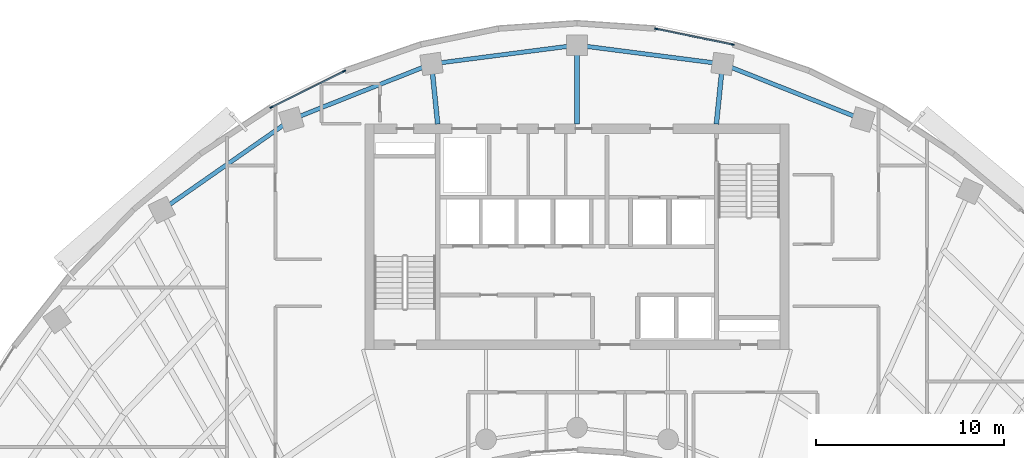
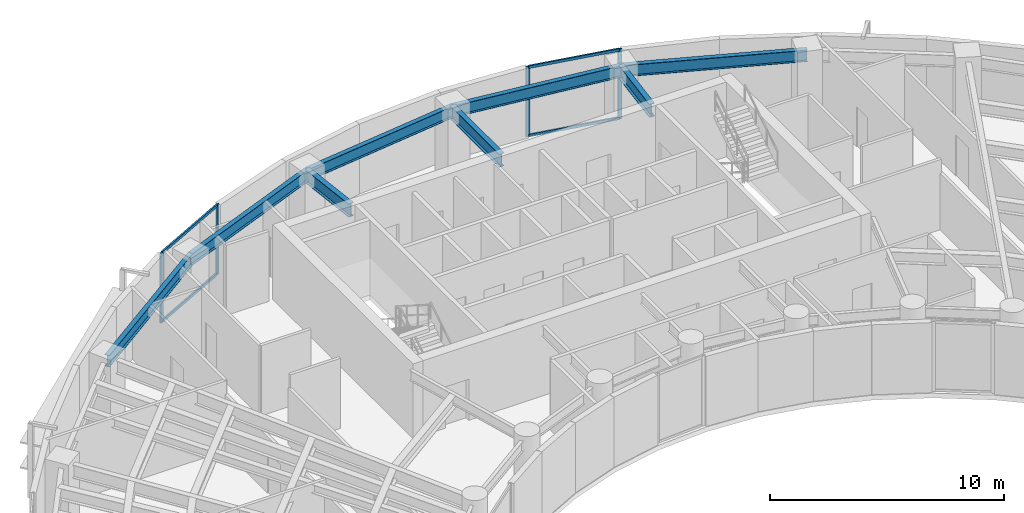
# One storey, part 5 of 13: 8 beams, 8 members, 2 elements without a shape of their own.
"""IFC4 building model written with IfcOpenShell, lengths in metres."""

from ifc_helpers import new_model, si_unit, direction, frame, origin, origin_2d, place, context, subcontext, project, spatial, rectangle, i_section, extrude, source, transform, mapped, material, layer, layer_set, material_profile, profile_set, type_object, element, aggregate, save


model = new_model("IFC4")

# Units and contexts
model_context = context("Model", 3, precision=1e-05, world=origin(), true_north=direction((0.0, 1.0)))
body_context = subcontext(model_context, "Body", "Model", "MODEL_VIEW")
ifc_project = project(units=[si_unit("LENGTHUNIT", "METRE"), si_unit("AREAUNIT", "SQUARE_METRE"), si_unit("VOLUMEUNIT", "CUBIC_METRE"), si_unit("PLANEANGLEUNIT", "RADIAN"), si_unit("MASSUNIT", "GRAM", prefix="KILO")], contexts=[model_context])

# Site, building, storey
site_placement = place(None, origin())
site = spatial("IfcSite", under=ifc_project, at=site_placement, CompositionType="ELEMENT")
building_placement = place(site_placement, origin())
building = spatial("IfcBuilding", under=site, at=building_placement, Name="Breltana Convention Tower", CompositionType="ELEMENT")
storey_placement = place(building_placement, frame((0.0, 0.0, 146.699951171875)))
storey = spatial("IfcBuildingStorey", under=building, at=storey_placement, Name="L35", CompositionType="ELEMENT", Elevation=146.699951171875)

# Beams
ifc_material_1 = material(Name="Steel ASTM A992 Grade 50", Category="steel")
ifc_material_profile_1 = material_profile(ifc_material_1, i_section(OverallWidth=0.25390625, OverallDepth=0.68798828125, WebThickness=0.01318359375, FlangeThickness=0.02099609375, at=origin_2d()), Name="W27X102")
ifc_profile_set_1 = profile_set([ifc_material_profile_1], Name="Steel ASTM A992 Grade 50")
beam_type_1 = type_object("IfcBeamType", Name="BM-RG-W27X102", PredefinedType="USERDEFINED", material=ifc_profile_set_1)
shared_shape_1 = source(origin(), body_context, "Body", "SweptSolid", [
    extrude(i_section(OverallWidth=0.25390625, OverallDepth=0.68798828125, WebThickness=0.01318359375, FlangeThickness=0.02099609375, at=origin_2d()), origin(), (0.0, 0.0, 1.0), 3.220947265625),
])
for number, where, z_axis, x_axis, name in (
    (1, (40.580078125, 72.199951171875, 3.30615234375), (-0.101492254858, 0.994836329355, 0.0), (-0.994836329355, -0.101492254858, 0.0), "L35 North Core Radial Girder R05"),
    (2, (55.419921875, 72.199951171875, 3.30615234375), (0.101492254858, 0.994836329355, 0.0), (-0.994836329355, 0.101492254858, 0.0), "L35 North Core Radial Girder R07"),
):
    element("IfcBeam", number, at=place(storey_placement, frame(where, z_axis=z_axis, x_axis=x_axis)), inside=storey, type_object=beam_type_1, Name=name, ObjectType="GIRDER", PredefinedType="USERDEFINED", context=body_context, shape_type="MappedRepresentation", body=[
        mapped(shared_shape_1, transform((0.0, 0.0, 0.0), scale=1.0)),
    ])
shared_shape_2 = source(origin(), body_context, "Body", "SweptSolid", [
    extrude(i_section(OverallWidth=0.25390625, OverallDepth=0.68798828125, WebThickness=0.01318359375, FlangeThickness=0.02099609375, at=origin_2d()), origin(), (0.0, 0.0, 1.0), 4.2041015625),
])
beam_1_placement = place(storey_placement, frame((48.0, 72.199951171875, 3.30615234375), z_axis=(0.0, 1.0, 0.0), x_axis=(-1.0, 0.0, 0.0)))
element("IfcBeam", 3, at=beam_1_placement, inside=storey, type_object=beam_type_1, Name="L35 North Core Radial Girder R06", ObjectType="GIRDER", PredefinedType="USERDEFINED", context=body_context, shape_type="MappedRepresentation", body=[
    mapped(shared_shape_2, transform((0.0, 0.0, 0.0), scale=1.0)),
])
ifc_material_profile_2 = material_profile(ifc_material_1, i_section(OverallWidth=0.22802734375, OverallDepth=0.60791015625, WebThickness=0.01123046875, FlangeThickness=0.017333984375, at=origin_2d()), Name="W24X76")
ifc_profile_set_2 = profile_set([ifc_material_profile_2], Name="Steel ASTM A992 Grade 50")
beam_type_2 = type_object("IfcBeamType", Name="BM-SP-W24X76", PredefinedType="SPANDREL", material=ifc_profile_set_2)
shared_shape_3 = source(origin(), body_context, "Body", "SweptSolid", [
    extrude(i_section(OverallWidth=0.22802734375, OverallDepth=0.60791015625, WebThickness=0.01123046875, FlangeThickness=0.017333984375, at=origin_2d()), origin(), (0.0, 0.0, 1.0), 8.4169921875),
])
beam_2_placement = place(storey_placement, frame((25.8876953125, 67.626953125, 3.345947265625), z_axis=(0.820173800102, 0.572114444519, 0.0), x_axis=(-0.572114444519, 0.820173800102, 0.0)))
element("IfcBeam", 4, at=beam_2_placement, inside=storey, type_object=beam_type_2, Name="L35 Outer Spandrel Beam 03", PredefinedType="SPANDREL", context=body_context, shape_type="MappedRepresentation", body=[
    mapped(shared_shape_3, transform((0.0, 0.0, 0.0), scale=1.0)),
])
shared_shape_4 = source(origin(), body_context, "Body", "SweptSolid", [
    extrude(i_section(OverallWidth=0.22802734375, OverallDepth=0.60791015625, WebThickness=0.01123046875, FlangeThickness=0.017333984375, at=origin_2d()), origin(), (0.0, 0.0, 1.0), 8.028564453125),
])
for number, where, z_axis, x_axis, name in (
    (5, (32.791015625, 72.4423828125, 3.345947265625), (0.929459100394, 0.368925169507, 0.0), (-0.368925169507, 0.929459100394, 0.0), "L35 Outer Spandrel Beam 04"),
    (6, (55.746826171875, 75.404296875, 3.345947265625), (0.929459100394, -0.368925169507, 0.0), (0.368925169507, 0.929459100394, 0.0), "L35 Outer Spandrel Beam 07"),
):
    element("IfcBeam", number, at=place(storey_placement, frame(where, z_axis=z_axis, x_axis=x_axis)), inside=storey, type_object=beam_type_2, Name=name, PredefinedType="SPANDREL", context=body_context, shape_type="MappedRepresentation", body=[
        mapped(shared_shape_4, transform((0.0, 0.0, 0.0), scale=1.0)),
    ])
shared_shape_5 = source(origin(), body_context, "Body", "SweptSolid", [
    extrude(i_section(OverallWidth=0.22802734375, OverallDepth=0.60791015625, WebThickness=0.01123046875, FlangeThickness=0.017333984375, at=origin_2d()), origin(), (0.0, 0.0, 1.0), 7.81103515625),
])
for number, where, z_axis, x_axis, name in (
    (7, (40.253173828125, 75.404296875, 3.345947265625), (0.991775179127, 0.127992164083, 0.0), (-0.127992164083, 0.991775179127, 0.0), "L35 Outer Spandrel Beam 05"),
    (8, (48.0, 76.404052734375, 3.345947265625), (0.991775179127, -0.127992164083, 0.0), (0.127992164083, 0.991775179127, 0.0), "L35 Outer Spandrel Beam 06"),
):
    element("IfcBeam", number, at=place(storey_placement, frame(where, z_axis=z_axis, x_axis=x_axis)), inside=storey, type_object=beam_type_2, Name=name, PredefinedType="SPANDREL", context=body_context, shape_type="MappedRepresentation", body=[
        mapped(shared_shape_5, transform((0.0, 0.0, 0.0), scale=1.0)),
    ])

# Curtain wall, members
ifc_material_2 = material(Name="Aluminium Anodised Bronze Frame", Category="aluminium")
ifc_layer = layer(ifc_material_2, 0.2099609375, Name="Aluminium Anodised Bronze Frame")
ifc_layer_set = layer_set([ifc_layer], Name="Aluminium Anodised Bronze Frame")
curtain_wall_type = type_object("IfcCurtainWallType", Name="CW-SYS-3", PredefinedType="NOTDEFINED", material=ifc_layer_set)
curtain_wall_1_placement = place(storey_placement, origin())
curtain_wall_1 = element("IfcCurtainWall", 9, at=curtain_wall_1_placement, inside=storey, type_object=curtain_wall_type, Name="L35 outer double-skin inner glazing 2", PredefinedType="NOTDEFINED")
ifc_material_3 = material(Name="Aluminium Anodised Bronze", Category="aluminium")
ifc_material_profile_3 = material_profile(ifc_material_3, rectangle(XDim=0.070068359375, YDim=0.175048828125, at=origin_2d()), Name="CWM-70X175")
ifc_profile_set_3 = profile_set([ifc_material_profile_3], Name="Aluminium Anodised Bronze")
member_type_1 = type_object("IfcMemberType", Name="CWM-175", PredefinedType="MULLION", material=ifc_profile_set_3)
shared_shape_6 = source(origin(), body_context, "Body", "SweptSolid", [
    extrude(rectangle(XDim=0.070068359375, YDim=0.175048828125, at=origin_2d()), origin(), (0.0, 0.0, 1.0), 3.650146484375),
])
member_1_placement = place(storey_placement, frame((31.733154296875, 73.095458984375, 0.0), z_axis=(0.0, 0.0, 1.0), x_axis=(-0.444117835682, 0.895968385619, 0.0)))
member_1 = element("IfcMember", 10, at=member_1_placement, type_object=member_type_1, Name="CW-03 mullion 1", PredefinedType="MULLION", context=body_context, shape_type="MappedRepresentation", body=[
    mapped(shared_shape_6, transform((0.0, 0.0, 0.0), scale=1.0)),
])
member_2_placement = place(storey_placement, frame((35.59814453125, 75.011474609375, 0.0), z_axis=(0.0, 0.0, 1.0), x_axis=(-0.444117835682, 0.895968385619, 0.0)))
member_2 = element("IfcMember", 11, at=member_2_placement, type_object=member_type_1, Name="CW-03 mullion 2", PredefinedType="MULLION", context=body_context, shape_type="MappedRepresentation", body=[
    mapped(shared_shape_6, transform((0.0, 0.0, 0.0), scale=1.0)),
])

curtain_wall_2_placement = place(storey_placement, origin())
curtain_wall_2 = element("IfcCurtainWall", 12, at=curtain_wall_2_placement, inside=storey, type_object=curtain_wall_type, Name="L35 outer double-skin inner glazing 3", PredefinedType="NOTDEFINED")
member_3_placement = place(storey_placement, frame((52.2138671875, 77.272705078125, 0.0), z_axis=(0.0, 0.0, 1.0), x_axis=(0.200876562668, 0.979616560993, 0.0)))
member_3 = element("IfcMember", 13, at=member_3_placement, type_object=member_type_1, Name="CW-03 mullion 1", PredefinedType="MULLION", context=body_context, shape_type="MappedRepresentation", body=[
    mapped(shared_shape_6, transform((0.0, 0.0, 0.0), scale=1.0)),
])
member_4_placement = place(storey_placement, frame((56.28271484375, 76.4384765625, 0.0), z_axis=(0.0, 0.0, 1.0), x_axis=(0.200876562668, 0.979616560993, 0.0)))
member_4 = element("IfcMember", 14, at=member_4_placement, type_object=member_type_1, Name="CW-03 mullion 2", PredefinedType="MULLION", context=body_context, shape_type="MappedRepresentation", body=[
    mapped(shared_shape_6, transform((0.0, 0.0, 0.0), scale=1.0)),
])

# Member
ifc_material_profile_4 = material_profile(ifc_material_3, rectangle(XDim=0.080078125, YDim=0.139892578125, at=origin_2d()), Name="CWT-80X140")
ifc_profile_set_4 = profile_set([ifc_material_profile_4], Name="Aluminium Anodised Bronze")
member_type_2 = type_object("IfcMemberType", Name="CWT-140", PredefinedType="USERDEFINED", material=ifc_profile_set_4)
shared_shape_7 = source(origin(), body_context, "Body", "SweptSolid", [
    extrude(rectangle(XDim=0.080078125, YDim=0.139892578125, at=origin_2d()), origin(), (0.0, 0.0, 1.0), 4.243896484375),
])
member_5_placement = place(storey_placement, frame((31.764404296875, 73.111083984375, 0.0400390625), z_axis=(0.895975011629, 0.444104468043, 0.0), x_axis=(-0.444104468043, 0.895975011629, 0.0)))
member_5 = element("IfcMember", 15, at=member_5_placement, type_object=member_type_2, Name="CW-03 transom 1.1", ObjectType="TRANSOM", PredefinedType="USERDEFINED", context=body_context, shape_type="MappedRepresentation", body=[
    mapped(shared_shape_7, transform((0.0, 0.0, 0.0), scale=1.0)),
])

member_6_placement = place(storey_placement, frame((31.764404296875, 73.111083984375, 3.610107421875), z_axis=(0.895975011629, 0.444104468043, 0.0), x_axis=(-0.444104468043, 0.895975011629, 0.0)))
member_6 = element("IfcMember", 16, at=member_6_placement, type_object=member_type_2, Name="CW-03 transom 1.2", ObjectType="TRANSOM", PredefinedType="USERDEFINED", context=body_context, shape_type="MappedRepresentation", body=[
    mapped(shared_shape_7, transform((0.0, 0.0, 0.0), scale=1.0)),
])

aggregate(curtain_wall_1, [member_1, member_2, member_5, member_6])

shared_shape_8 = source(origin(), body_context, "Body", "SweptSolid", [
    extrude(rectangle(XDim=0.080078125, YDim=0.139892578125, at=origin_2d()), origin(), (0.0, 0.0, 1.0), 4.08349609375),
])
member_7_placement = place(storey_placement, frame((52.248291015625, 77.265625, 0.0400390625), z_axis=(0.979626533509, -0.20082792347, 0.0), x_axis=(0.20082792347, 0.979626533509, 0.0)))
member_7 = element("IfcMember", 17, at=member_7_placement, type_object=member_type_2, Name="CW-03 transom 1.1", ObjectType="TRANSOM", PredefinedType="USERDEFINED", context=body_context, shape_type="MappedRepresentation", body=[
    mapped(shared_shape_8, transform((0.0, 0.0, 0.0), scale=1.0)),
])

member_8_placement = place(storey_placement, frame((52.248291015625, 77.265625, 3.610107421875), z_axis=(0.979626533509, -0.20082792347, 0.0), x_axis=(0.20082792347, 0.979626533509, 0.0)))
member_8 = element("IfcMember", 18, at=member_8_placement, type_object=member_type_2, Name="CW-03 transom 1.2", ObjectType="TRANSOM", PredefinedType="USERDEFINED", context=body_context, shape_type="MappedRepresentation", body=[
    mapped(shared_shape_8, transform((0.0, 0.0, 0.0), scale=1.0)),
])

aggregate(curtain_wall_2, [member_3, member_4, member_7, member_8])

save(model, "model.ifc")
